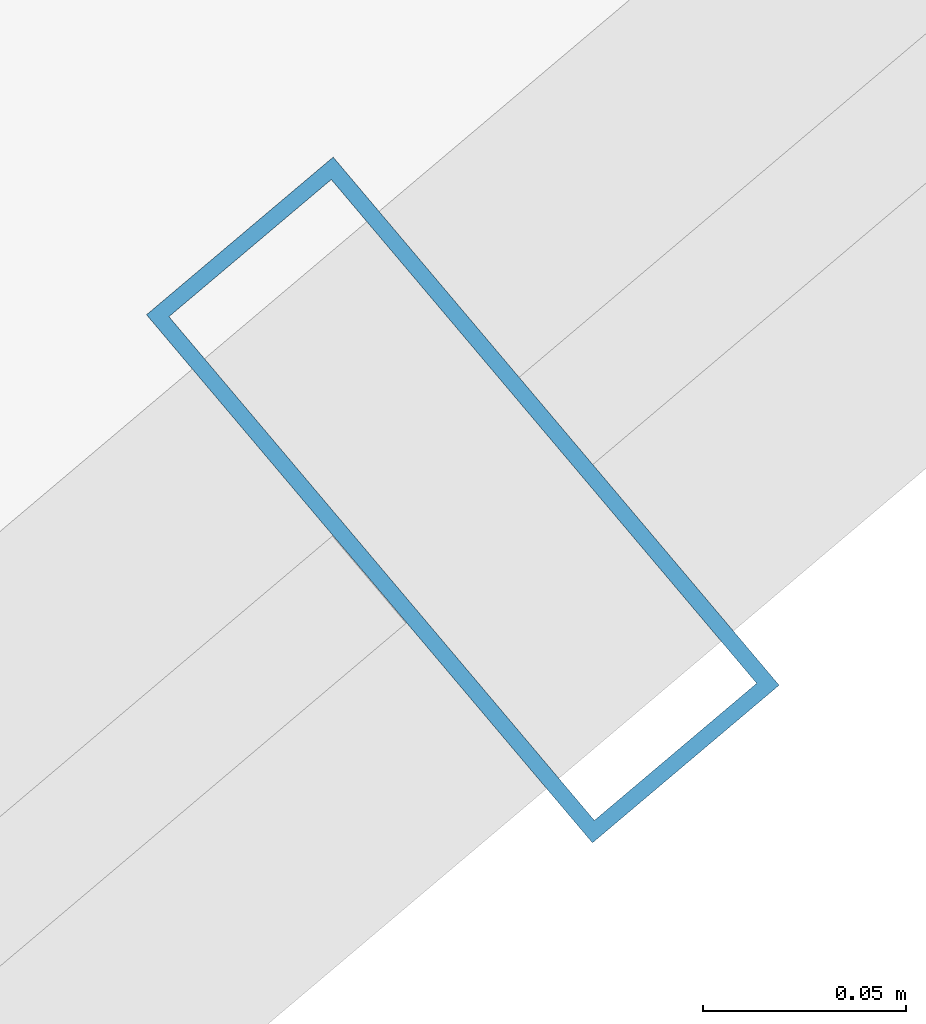
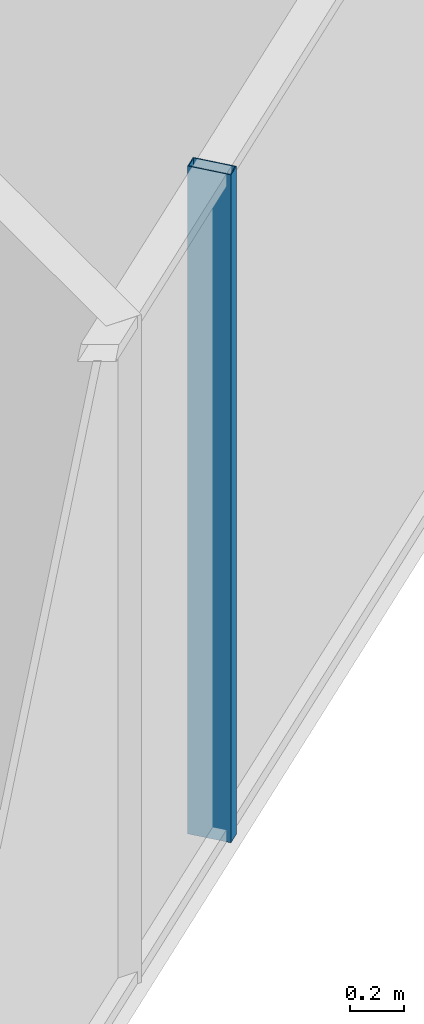
# One storey, part 15 of 36: 1 member, 1 element without a shape of its own.
"""IFC4 building model written with IfcOpenShell, lengths in metres."""

from ifc_helpers import new_model, si_unit, direction, frame, origin, origin_2d, place, context, subcontext, project, spatial, hollow_rectangle, extrude, source, transform, mapped, material, layer, layer_set, material_profile, profile_set, type_object, element, aggregate, save


model = new_model("IFC4")

# Units and contexts
model_context = context("Model", 3, precision=1e-05, world=origin(), true_north=direction((0.0, 1.0)))
body_context = subcontext(model_context, "Body", "Model", "MODEL_VIEW")
ifc_project = project(units=[si_unit("LENGTHUNIT", "METRE"), si_unit("AREAUNIT", "SQUARE_METRE"), si_unit("VOLUMEUNIT", "CUBIC_METRE"), si_unit("PLANEANGLEUNIT", "RADIAN"), si_unit("MASSUNIT", "GRAM", prefix="KILO")], contexts=[model_context])

# Site, building, storey
site_placement = place(None, origin())
site = spatial("IfcSite", under=ifc_project, at=site_placement, CompositionType="ELEMENT")
building_placement = place(site_placement, origin())
building = spatial("IfcBuilding", under=site, at=building_placement, Name="Veraguas Prism Commons", CompositionType="ELEMENT")
storey_placement = place(building_placement, frame((0.0, 0.0, 163.050048828125)))
storey = spatial("IfcBuildingStorey", under=building, at=storey_placement, Name="L46", CompositionType="ELEMENT", Elevation=163.050048828125)

# Curtain wall, member
ifc_material = material(Name="Anodised aluminium EN AW-6063 T6", Category="aluminium")
ifc_layer = layer(ifc_material, 0.169921875, Name="Unitised Flush Curtain Wall Zone 2", Category="aluminium")
ifc_layer_set = layer_set([ifc_layer], Name="Anodised aluminium EN AW-6063 T6")
curtain_wall_type = type_object("IfcCurtainWallType", Name="Unitised Flush Curtain Wall Zone 2", PredefinedType="NOTDEFINED", material=ifc_layer_set)
curtain_wall_placement = place(storey_placement, origin())
curtain_wall = element("IfcCurtainWall", 1, at=curtain_wall_placement, inside=storey, type_object=curtain_wall_type, Name="Tower Facade Curtain Wall L46-F5", PredefinedType="NOTDEFINED")
ifc_material_profile = material_profile(ifc_material, hollow_rectangle(XDim=0.06005859375, YDim=0.169921875, WallThickness=0.00390625, at=origin_2d()), Name="AL60X170X4")
ifc_profile_set = profile_set([ifc_material_profile], Name="Anodised aluminium EN AW-6063 T6")
member_type = type_object("IfcMemberType", Name="Curtain Wall Mullion Lower AL 60x170x4", PredefinedType="MULLION", material=ifc_profile_set)
shared_shape = source(origin(), body_context, "Body", "SweptSolid", [
    extrude(hollow_rectangle(XDim=0.06005859375, YDim=0.169921875, WallThickness=0.00390625, at=origin_2d()), origin(), (0.0, 0.0, 1.0), 3.0),
])
member_placement = place(storey_placement, frame((36.37646484375, 9.34423828125, 0.0), z_axis=(0.0, 0.0, 1.0), x_axis=(0.764022415403, 0.645189699826, 0.0)))
member = element("IfcMember", 2, at=member_placement, type_object=member_type, Name="CW-Z2 Mullion 3", PredefinedType="MULLION", context=body_context, shape_type="MappedRepresentation", body=[
    mapped(shared_shape, transform((0.0, 0.0, 0.0), scale=1.0)),
])
aggregate(curtain_wall, [member])

save(model, "model.ifc")
